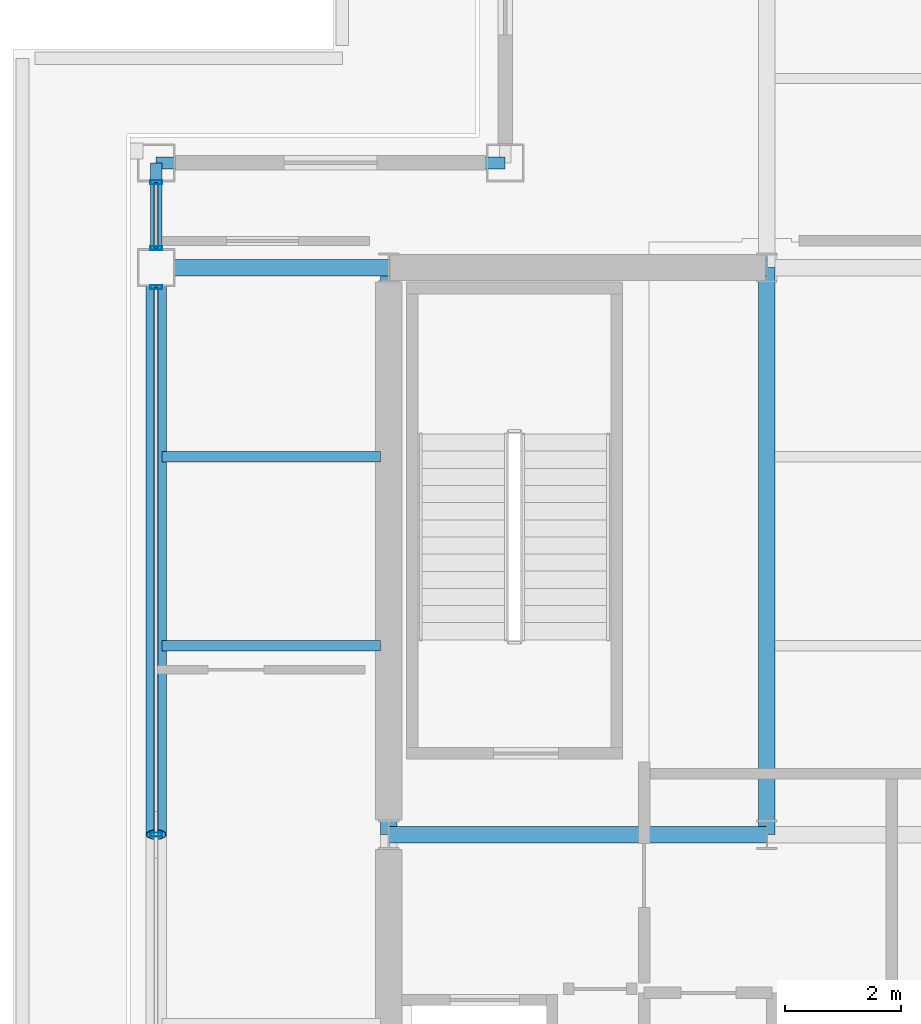
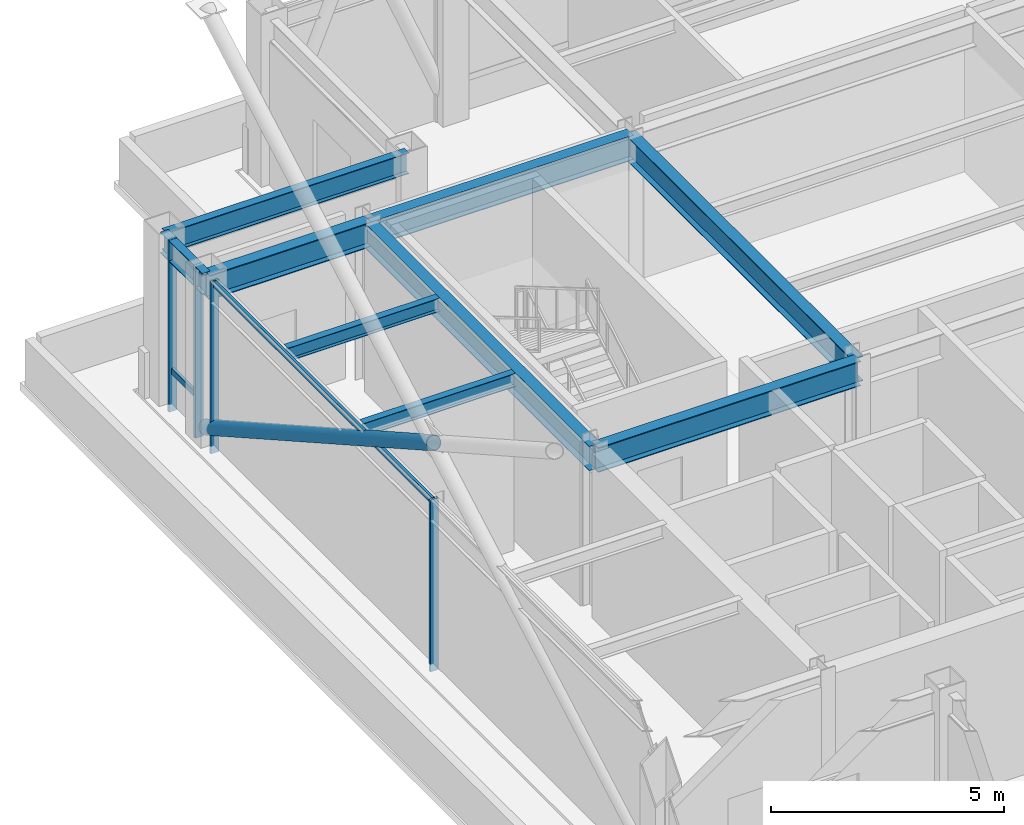
# One storey, part 6 of 19: 9 beams, 7 members, 2 elements without a shape of their own.
"""IFC4 building model written with IfcOpenShell, lengths in metres."""

from ifc_helpers import new_model, si_unit, direction, frame, origin, origin_2d, place, context, subcontext, project, spatial, hollow_rectangle, hollow_circle, i_section, extrude, material, layer, layer_set, material_profile, profile_set, type_object, element, aggregate, save


model = new_model("IFC4")

# Units and contexts
model_context = context("Model", 3, precision=1e-05, world=origin(), true_north=direction((0.0, 1.0)))
body_context = subcontext(model_context, "Body", "Model", "MODEL_VIEW")
ifc_project = project(units=[si_unit("LENGTHUNIT", "METRE"), si_unit("AREAUNIT", "SQUARE_METRE"), si_unit("VOLUMEUNIT", "CUBIC_METRE"), si_unit("PLANEANGLEUNIT", "RADIAN"), si_unit("MASSUNIT", "GRAM", prefix="KILO")], contexts=[model_context])

# Site, building, storey
site_placement = place(None, origin())
site = spatial("IfcSite", under=ifc_project, at=site_placement, CompositionType="ELEMENT")
building_placement = place(site_placement, origin())
building = spatial("IfcBuilding", under=site, at=building_placement, Name="Brelmoor Portico Tower", CompositionType="ELEMENT")
storey_placement = place(building_placement, frame((0.0, 0.0, 213.89990234375)))
storey = spatial("IfcBuildingStorey", under=building, at=storey_placement, Name="L56", CompositionType="ELEMENT", Elevation=213.89990234375)

# Beams
ifc_material_1 = material(Name="Steel Q355B", Category="steel")
ifc_material_profile_1 = material_profile(ifc_material_1, i_section(OverallWidth=0.175048828125, OverallDepth=0.35009765625, WebThickness=0.007080078125, FlangeThickness=0.010986328125, at=origin_2d()), Name="HN 350x175x7x11")
ifc_profile_set_1 = profile_set([ifc_material_profile_1], Name="Steel Q355B")
beam_type_1 = type_object("IfcBeamType", Name="BM-JS-350", PredefinedType="JOIST", material=ifc_profile_set_1)
for number, where, z_axis, x_axis, name in (
    (1, (-18.449951171875, 3.25, 4.125), (1.0, 0.0, 0.0), (0.0, 1.0, 0.0), "L56 Secondary Wing Joist JS-W09"),
    (2, (-18.449951171875, 6.5, 4.125), (1.0, 0.0, 0.0), (0.0, 1.0, 0.0), "L56 Secondary Wing Joist JS-W10"),
):
    element("IfcBeam", number, at=place(storey_placement, frame(where, z_axis=z_axis, x_axis=x_axis)), inside=storey, type_object=beam_type_1, Name=name, PredefinedType="JOIST", context=body_context, shape_type="SweptSolid", body=[
        extrude(i_section(OverallWidth=0.175048828125, OverallDepth=0.35009765625, WebThickness=0.007080078125, FlangeThickness=0.010986328125, at=origin_2d()), origin(), (0.0, 0.0, 1.0), 3.760009765625),
    ])
ifc_material_profile_2 = material_profile(ifc_material_1, i_section(OverallWidth=0.280029296875, OverallDepth=0.64990234375, WebThickness=0.012939453125, FlangeThickness=0.02197265625, at=origin_2d()), Name="HN 650x280x13x22")
ifc_profile_set_2 = profile_set([ifc_material_profile_2], Name="Steel Q355B")
beam_type_2 = type_object("IfcBeamType", Name="BM-PG-650", PredefinedType="BEAM", material=ifc_profile_set_2)
for number, where, z_axis, x_axis, name in (
    (3, (-14.550048828125, 0.0, 3.97509765625), (0.0, 1.0, 0.0), (-1.0, 0.0, 0.0), "L56 Primary Floor Girder PG-02"),
    (4, (-8.050048828125, 0.0, 3.97509765625), (0.0, 1.0, 0.0), (-1.0, 0.0, 0.0), "L56 Primary Floor Girder PG-04"),
):
    element("IfcBeam", number, at=place(storey_placement, frame(where, z_axis=z_axis, x_axis=x_axis)), inside=storey, type_object=beam_type_2, Name=name, PredefinedType="BEAM", context=body_context, shape_type="SweptSolid", body=[
        extrude(i_section(OverallWidth=0.280029296875, OverallDepth=0.64990234375, WebThickness=0.012939453125, FlangeThickness=0.02197265625, at=origin_2d()), origin(), (0.0, 0.0, 1.0), 9.75),
    ])
beam_1_placement = place(storey_placement, frame((-14.550048828125, 0.0, 3.97509765625), z_axis=(1.0, 0.0, 0.0), x_axis=(0.0, 1.0, 0.0)))
element("IfcBeam", 5, at=beam_1_placement, inside=storey, type_object=beam_type_2, Name="L56 Primary Floor Girder PG-16", PredefinedType="BEAM", context=body_context, shape_type="SweptSolid", body=[
    extrude(i_section(OverallWidth=0.280029296875, OverallDepth=0.64990234375, WebThickness=0.012939453125, FlangeThickness=0.02197265625, at=origin_2d()), origin(), (0.0, 0.0, 1.0), 6.5),
])
beam_2_placement = place(storey_placement, frame((-18.550048828125, 9.75, 3.97509765625), z_axis=(1.0, 0.0, 0.0), x_axis=(0.0, 1.0, 0.0)))
element("IfcBeam", 6, at=beam_2_placement, inside=storey, type_object=beam_type_2, Name="L56 Primary Floor Girder PG-19", PredefinedType="BEAM", context=body_context, shape_type="SweptSolid", body=[
    extrude(i_section(OverallWidth=0.280029296875, OverallDepth=0.64990234375, WebThickness=0.012939453125, FlangeThickness=0.02197265625, at=origin_2d()), origin(), (0.0, 0.0, 1.0), 4.0),
])
beam_3_placement = place(storey_placement, frame((-14.550048828125, 9.75, 3.97509765625), z_axis=(1.0, 0.0, 0.0), x_axis=(0.0, 1.0, 0.0)))
element("IfcBeam", 7, at=beam_3_placement, inside=storey, type_object=beam_type_2, Name="L56 Primary Floor Girder PG-20", PredefinedType="BEAM", context=body_context, shape_type="SweptSolid", body=[
    extrude(i_section(OverallWidth=0.280029296875, OverallDepth=0.64990234375, WebThickness=0.012939453125, FlangeThickness=0.02197265625, at=origin_2d()), origin(), (0.0, 0.0, 1.0), 6.5),
])
ifc_material_profile_3 = material_profile(ifc_material_1, i_section(OverallWidth=0.199951171875, OverallDepth=0.550048828125, WebThickness=0.010009765625, FlangeThickness=0.01611328125, at=origin_2d()), Name="HN 550x200x10x16")
ifc_profile_set_3 = profile_set([ifc_material_profile_3], Name="Steel Q355B")
beam_type_3 = type_object("IfcBeamType", Name="BM-SP-550", PredefinedType="SPANDREL", material=ifc_profile_set_3)
beam_4_placement = place(storey_placement, frame((-18.550048828125, 11.550048828125, 4.025146484375), z_axis=(1.0, 0.0, 0.0), x_axis=(0.0, 1.0, 0.0)))
element("IfcBeam", 8, at=beam_4_placement, inside=storey, type_object=beam_type_3, Name="L56 Perimeter Spandrel Beam SP-06", PredefinedType="SPANDREL", context=body_context, shape_type="SweptSolid", body=[
    extrude(i_section(OverallWidth=0.199951171875, OverallDepth=0.550048828125, WebThickness=0.010009765625, FlangeThickness=0.01611328125, at=origin_2d()), origin(), (0.0, 0.0, 1.0), 6.0),
])
beam_5_placement = place(storey_placement, frame((-18.550048828125, 9.75, 4.025146484375), z_axis=(0.0, 1.0, 0.0), x_axis=(-1.0, 0.0, 0.0)))
element("IfcBeam", 9, at=beam_5_placement, inside=storey, type_object=beam_type_3, Name="L56 Perimeter Spandrel Beam SP-13", PredefinedType="SPANDREL", context=body_context, shape_type="SweptSolid", body=[
    extrude(i_section(OverallWidth=0.199951171875, OverallDepth=0.550048828125, WebThickness=0.010009765625, FlangeThickness=0.01611328125, at=origin_2d()), origin(), (0.0, 0.0, 1.0), 1.800048828125),
])

# Member
ifc_material_profile_4 = material_profile(ifc_material_1, hollow_circle(Radius=0.177978515625, WallThickness=0.01611328125, at=origin_2d()), Name="CHS 356x16")
ifc_profile_set_4 = profile_set([ifc_material_profile_4], Name="Steel Q355B")
member_type_1 = type_object("IfcMemberType", Name="MB-BELT-DIAG2", PredefinedType="BRACE", material=ifc_profile_set_4)
member_1_placement = place(storey_placement, frame((-18.550048828125, 9.75, 0.25), z_axis=(0.0, -0.870978467743, 0.491321186932), x_axis=(1.0, 0.0, 0.0)))
element("IfcMember", 10, at=member_1_placement, inside=storey, type_object=member_type_1, Name="L56 Split Mega-X Brace 132B1", PredefinedType="BRACE", context=body_context, shape_type="SweptSolid", body=[
    extrude(hollow_circle(Radius=0.177978515625, WallThickness=0.01611328125, at=origin_2d()), origin(), (0.0, 0.0, 1.0), 11.1943359375),
])

# Curtain wall, members
ifc_material_2 = material(Name="Anodised Aluminium Alloy 6063-T6", Category="aluminium")
ifc_layer_1 = layer(ifc_material_2, 0.179931640625)
ifc_layer_set_1 = layer_set([ifc_layer_1], Name="Anodised Aluminium Alloy 6063-T6")
curtain_wall_type_1 = type_object("IfcCurtainWallType", Name="CW-SKYLOBBY-XB", PredefinedType="NOTDEFINED", material=ifc_layer_set_1)
curtain_wall_1_placement = place(storey_placement, origin())
curtain_wall_1 = element("IfcCurtainWall", 11, at=curtain_wall_1_placement, inside=storey, type_object=curtain_wall_type_1, Name="L56 Curtain Wall CW-L56-03-2", PredefinedType="NOTDEFINED")
ifc_material_profile_5 = material_profile(ifc_material_2, hollow_rectangle(XDim=0.070068359375, YDim=0.199951171875, WallThickness=0.00439453125, at=origin_2d()), Name="ALU MULLION 70x200")
ifc_profile_set_5 = profile_set([ifc_material_profile_5], Name="Anodised Aluminium Alloy 6063-T6")
member_type_2 = type_object("IfcMemberType", Name="MB-CW-MULL-200", PredefinedType="MULLION", material=ifc_profile_set_5)
member_2_placement = place(storey_placement, frame((-18.550048828125, 0.0, -0.199951171875), z_axis=(0.0, 0.0, 1.0), x_axis=(0.0, 1.0, 0.0)))
member_2 = element("IfcMember", 12, at=member_2_placement, type_object=member_type_2, Name="CW-L56-03-2 Mullion 01", PredefinedType="MULLION", context=body_context, shape_type="SweptSolid", body=[
    extrude(hollow_rectangle(XDim=0.070068359375, YDim=0.199951171875, WallThickness=0.00439453125, at=origin_2d()), origin(), (0.0, 0.0, 1.0), 4.5),
])
member_3_placement = place(storey_placement, frame((-18.550048828125, 9.4150390625, -0.199951171875), z_axis=(0.0, 0.0, 1.0), x_axis=(0.0, 1.0, 0.0)))
member_3 = element("IfcMember", 13, at=member_3_placement, type_object=member_type_2, Name="CW-L56-03-2 Mullion 02", PredefinedType="MULLION", context=body_context, shape_type="SweptSolid", body=[
    extrude(hollow_rectangle(XDim=0.070068359375, YDim=0.199951171875, WallThickness=0.00439453125, at=origin_2d()), origin(), (0.0, 0.0, 1.0), 4.5),
])

ifc_layer_2 = layer(ifc_material_2, 0.179931640625)
ifc_layer_set_2 = layer_set([ifc_layer_2], Name="Anodised Aluminium Alloy 6063-T6")
curtain_wall_type_2 = type_object("IfcCurtainWallType", Name="CW-SKYLOBBY", PredefinedType="NOTDEFINED", material=ifc_layer_set_2)
curtain_wall_2_placement = place(storey_placement, origin())
curtain_wall_2 = element("IfcCurtainWall", 14, at=curtain_wall_2_placement, inside=storey, type_object=curtain_wall_type_2, Name="L56 Curtain Wall CW-L56-03-3", PredefinedType="NOTDEFINED")
member_4_placement = place(storey_placement, frame((-18.550048828125, 10.0849609375, -0.199951171875), z_axis=(0.0, 0.0, 1.0), x_axis=(0.0, 1.0, 0.0)))
member_4 = element("IfcMember", 15, at=member_4_placement, type_object=member_type_2, Name="CW-L56-03-3 Mullion 00", PredefinedType="MULLION", context=body_context, shape_type="SweptSolid", body=[
    extrude(hollow_rectangle(XDim=0.070068359375, YDim=0.199951171875, WallThickness=0.00439453125, at=origin_2d()), origin(), (0.0, 0.0, 1.0), 4.5),
])
member_5_placement = place(storey_placement, frame((-18.550048828125, 11.215087890625, -0.199951171875), z_axis=(0.0, 0.0, 1.0), x_axis=(0.0, 1.0, 0.0)))
member_5 = element("IfcMember", 16, at=member_5_placement, type_object=member_type_2, Name="CW-L56-03-3 Mullion 01", PredefinedType="MULLION", context=body_context, shape_type="SweptSolid", body=[
    extrude(hollow_rectangle(XDim=0.070068359375, YDim=0.199951171875, WallThickness=0.00439453125, at=origin_2d()), origin(), (0.0, 0.0, 1.0), 4.5),
])

# Member
ifc_material_profile_6 = material_profile(ifc_material_2, hollow_rectangle(XDim=0.070068359375, YDim=0.159912109375, WallThickness=0.00390625, at=origin_2d()), Name="ALU TRANSOM 70x160")
ifc_profile_set_6 = profile_set([ifc_material_profile_6], Name="Anodised Aluminium Alloy 6063-T6")
member_type_3 = type_object("IfcMemberType", Name="MB-CW-TRAN-160", PredefinedType="USERDEFINED", material=ifc_profile_set_6)
member_6_placement = place(storey_placement, frame((-18.550048828125, 0.0, 4.22021484375), z_axis=(0.0, 1.0, 0.0), x_axis=(-1.0, 0.0, 0.0)))
member_6 = element("IfcMember", 17, at=member_6_placement, type_object=member_type_3, Name="CW-L56-03-2 Transom 1-01", ObjectType="TRANSOM", PredefinedType="USERDEFINED", context=body_context, shape_type="SweptSolid", body=[
    extrude(hollow_rectangle(XDim=0.070068359375, YDim=0.159912109375, WallThickness=0.00390625, at=origin_2d()), origin(), (0.0, 0.0, 1.0), 9.4150390625),
])

aggregate(curtain_wall_1, [member_2, member_3, member_6])

member_7_placement = place(storey_placement, frame((-18.550048828125, 10.0849609375, 0.85009765625), z_axis=(0.0, 1.0, 0.0), x_axis=(-1.0, 0.0, 0.0)))
member_7 = element("IfcMember", 18, at=member_7_placement, type_object=member_type_3, Name="CW-L56-03-3 Transom 1-00", ObjectType="TRANSOM", PredefinedType="USERDEFINED", context=body_context, shape_type="SweptSolid", body=[
    extrude(hollow_rectangle(XDim=0.070068359375, YDim=0.159912109375, WallThickness=0.00390625, at=origin_2d()), origin(), (0.0, 0.0, 1.0), 1.130126953125),
])

aggregate(curtain_wall_2, [member_4, member_5, member_7])

save(model, "model.ifc")
